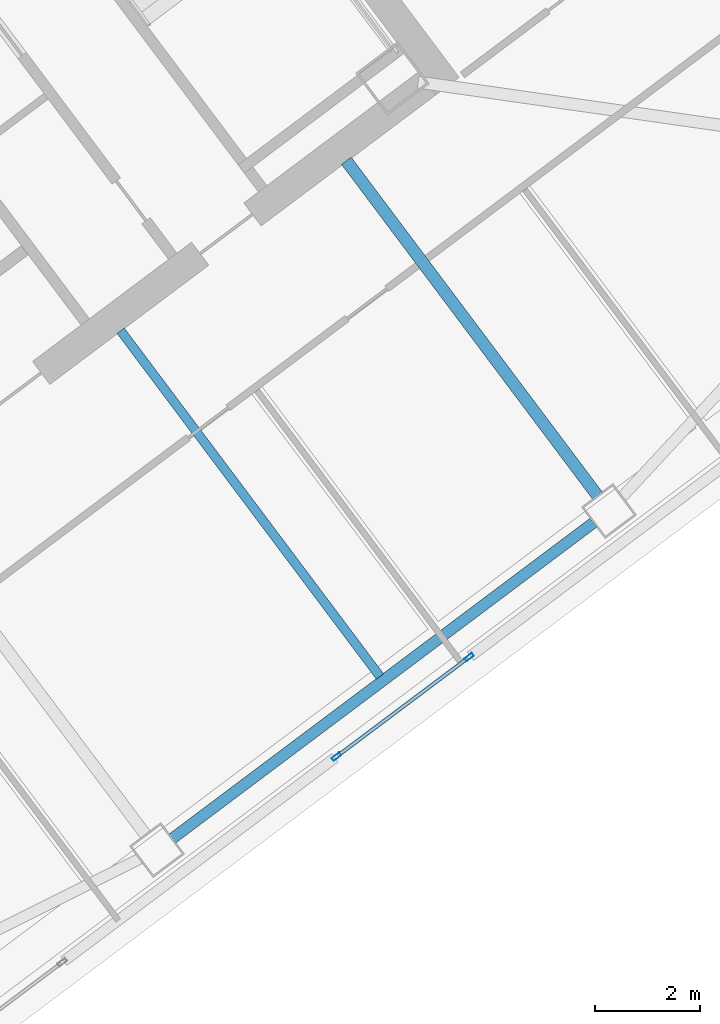
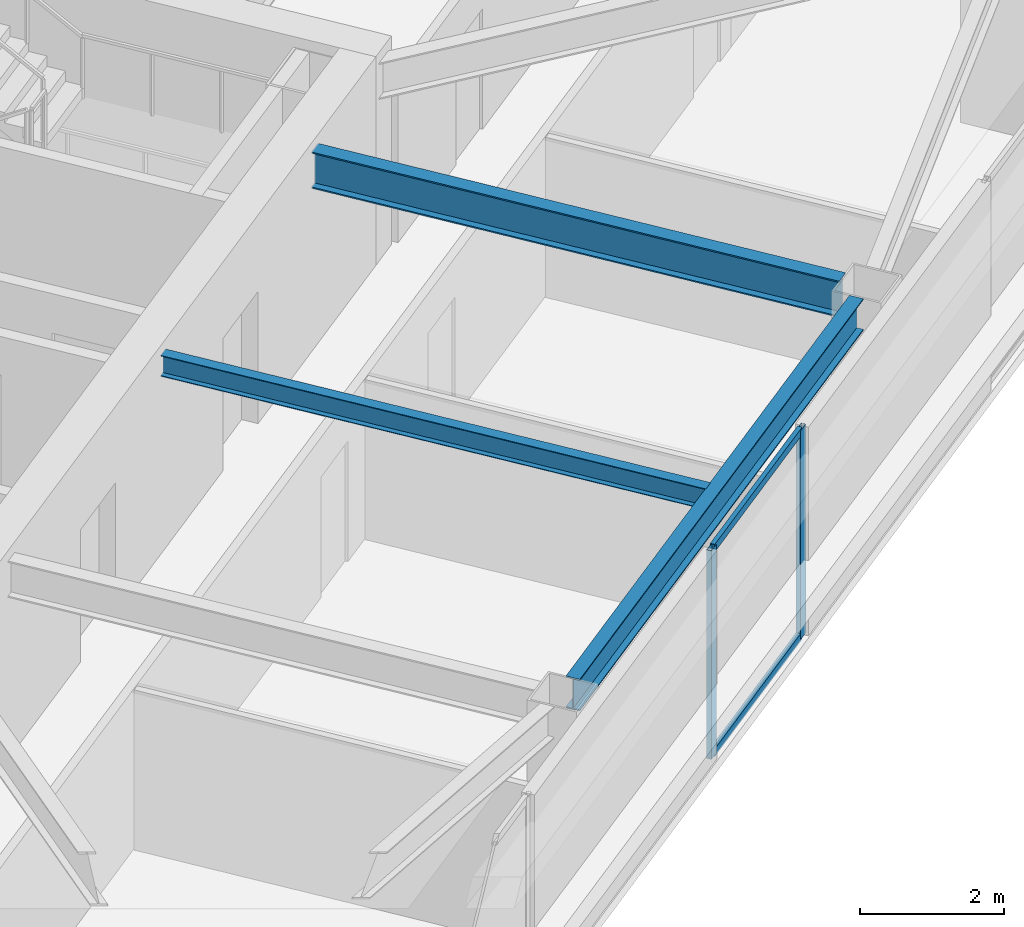
# One storey, part 24 of 43: 4 members, 3 beams, 1 element without a shape of its own.
"""IFC4 building model written with IfcOpenShell, lengths in metres."""

from ifc_helpers import new_model, si_unit, direction, frame, origin, origin_2d, place, context, subcontext, project, spatial, hollow_rectangle, i_section, extrude, material, material_profile, profile_set, type_object, element, aggregate, save


model = new_model("IFC4")

# Units and contexts
model_context = context("Model", 3, precision=1e-05, world=origin(), true_north=direction((0.0, 1.0)))
body_context = subcontext(model_context, "Body", "Model", "MODEL_VIEW")
ifc_project = project(units=[si_unit("LENGTHUNIT", "METRE"), si_unit("AREAUNIT", "SQUARE_METRE"), si_unit("VOLUMEUNIT", "CUBIC_METRE"), si_unit("PLANEANGLEUNIT", "RADIAN"), si_unit("MASSUNIT", "GRAM", prefix="KILO")], contexts=[model_context])

# Site, building, storey
site_placement = place(None, origin())
site = spatial("IfcSite", under=ifc_project, at=site_placement, CompositionType="ELEMENT")
building_placement = place(site_placement, origin())
building = spatial("IfcBuilding", under=site, at=building_placement, Name="Tashvorn Skyway Center", CompositionType="ELEMENT")
storey_placement = place(building_placement, frame((0.0, 0.0, 185.39990234375)))
storey = spatial("IfcBuildingStorey", under=building, at=storey_placement, Name="L50", CompositionType="ELEMENT", Elevation=185.39990234375)

# Beams
ifc_material_1 = material(Name="Steel ASTM A992 Grade 50", Category="steel")
ifc_material_profile_1 = material_profile(ifc_material_1, i_section(OverallWidth=0.22998046875, OverallDepth=0.616943359375, WebThickness=0.01318359375, FlangeThickness=0.022216796875, at=origin_2d()), Name="W24X94")
ifc_profile_set_1 = profile_set([ifc_material_profile_1], Name="Steel ASTM A992 Grade 50")
beam_type_1 = type_object("IfcBeamType", Name="BM-BEAM-W24X94", PredefinedType="BEAM", material=ifc_profile_set_1)
beam_1_placement = place(storey_placement, frame((127.7880859375, 22.615966796875, 3.0615234375), z_axis=(-0.599995117266, 0.800003662027, 0.0), x_axis=(-0.800003662027, -0.599995117266, 0.0)))
element("IfcBeam", 1, at=beam_1_placement, inside=storey, type_object=beam_type_1, Name="Tower 2 L50 Primary Floor Girder FC-S2", PredefinedType="BEAM", context=body_context, shape_type="SweptSolid", body=[
    extrude(i_section(OverallWidth=0.22998046875, OverallDepth=0.616943359375, WebThickness=0.01318359375, FlangeThickness=0.022216796875, at=origin_2d()), origin(), (0.0, 0.0, 1.0), 8.000244140625),
])
ifc_material_profile_2 = material_profile(ifc_material_1, i_section(OverallWidth=0.1708984375, OverallDepth=0.35498046875, WebThickness=0.007080078125, FlangeThickness=0.01171875, at=origin_2d()), Name="W14X34")
ifc_profile_set_2 = profile_set([ifc_material_profile_2], Name="Steel ASTM A992 Grade 50")
beam_type_2 = type_object("IfcBeamType", Name="BM-JOIST-W14X34", PredefinedType="JOIST", material=ifc_profile_set_2)
beam_2_placement = place(storey_placement, frame((118.674072265625, 25.76806640625, 3.192626953125), z_axis=(0.59999527236, -0.800003545708, 0.0), x_axis=(0.800003545708, 0.59999527236, 0.0)))
element("IfcBeam", 2, at=beam_2_placement, inside=storey, type_object=beam_type_2, Name="Tower 2 L50 Secondary Composite Joist JS", PredefinedType="JOIST", context=body_context, shape_type="SweptSolid", body=[
    extrude(i_section(OverallWidth=0.1708984375, OverallDepth=0.35498046875, WebThickness=0.007080078125, FlangeThickness=0.01171875, at=origin_2d()), origin(), (0.0, 0.0, 1.0), 8.2626953125),
])
ifc_material_profile_3 = material_profile(ifc_material_1, i_section(OverallWidth=0.2109375, OverallDepth=0.5390625, WebThickness=0.01171875, FlangeThickness=0.018798828125, at=origin_2d()), Name="W21X73")
ifc_profile_set_3 = profile_set([ifc_material_profile_3], Name="Steel ASTM A992 Grade 50")
beam_type_3 = type_object("IfcBeamType", Name="BM-SPANDREL-W21X73", PredefinedType="SPANDREL", material=ifc_profile_set_3)
beam_3_placement = place(storey_placement, frame((119.666015625, 16.06201171875, 3.1005859375), z_axis=(0.800008736549, 0.599988351091, 0.0), x_axis=(-0.599988351091, 0.800008736549, 0.0)))
element("IfcBeam", 3, at=beam_3_placement, inside=storey, type_object=beam_type_3, Name="Tower 2 L50 Spandrel Beam 02", PredefinedType="SPANDREL", context=body_context, shape_type="SweptSolid", body=[
    extrude(i_section(OverallWidth=0.2109375, OverallDepth=0.5390625, WebThickness=0.01171875, FlangeThickness=0.018798828125, at=origin_2d()), origin(), (0.0, 0.0, 1.0), 10.06005859375),
])

# Curtain wall, members
ifc_material_2 = material(Name="Thermally broken bronze-anodized aluminium 6063-T6", Category="aluminium")
curtain_wall_type = type_object("IfcCurtainWallType", Name="CW-CW-Z4", PredefinedType="NOTDEFINED", material=ifc_material_2)
curtain_wall_placement = place(storey_placement, origin())
curtain_wall = element("IfcCurtainWall", 4, at=curtain_wall_placement, inside=storey, type_object=curtain_wall_type, Name="Tower 2 L50 South Unitised Curtain Wall Glazing Group 2", PredefinedType="NOTDEFINED")
ifc_material_profile_4 = material_profile(ifc_material_2, hollow_rectangle(XDim=0.070068359375, YDim=0.179931640625, WallThickness=0.00390625, at=origin_2d()), Name="ALU-MULL-70x180")
ifc_profile_set_4 = profile_set([ifc_material_profile_4], Name="Thermally broken bronze-anodized aluminium 6063-T6")
member_type_1 = type_object("IfcMemberType", Name="CWM-CW-Z4", PredefinedType="MULLION", material=ifc_profile_set_4)
member_1_placement = place(storey_placement, frame((125.3359375, 19.527099609375, 0.0), z_axis=(0.0, 0.0, 1.0), x_axis=(0.600000000002, -0.799999999998, 0.0)))
member_1 = element("IfcMember", 5, at=member_1_placement, type_object=member_type_1, Name="CW-Z4 mullion 1", PredefinedType="MULLION", context=body_context, shape_type="SweptSolid", body=[
    extrude(hollow_rectangle(XDim=0.070068359375, YDim=0.179931640625, WallThickness=0.00390625, at=origin_2d()), origin(), (0.0, 0.0, 1.0), 3.550048828125),
])
member_2_placement = place(storey_placement, frame((122.800048828125, 17.625, 0.0), z_axis=(0.0, 0.0, 1.0), x_axis=(0.600000000002, -0.799999999998, 0.0)))
member_2 = element("IfcMember", 6, at=member_2_placement, type_object=member_type_1, Name="CW-Z4 mullion 2", PredefinedType="MULLION", context=body_context, shape_type="SweptSolid", body=[
    extrude(hollow_rectangle(XDim=0.070068359375, YDim=0.179931640625, WallThickness=0.00390625, at=origin_2d()), origin(), (0.0, 0.0, 1.0), 3.550048828125),
])
ifc_material_profile_5 = material_profile(ifc_material_2, hollow_rectangle(XDim=0.070068359375, YDim=0.1298828125, WallThickness=0.00390625, at=origin_2d()), Name="ALU-TRAN-70x130")
ifc_profile_set_5 = profile_set([ifc_material_profile_5], Name="Thermally broken bronze-anodized aluminium 6063-T6")
member_type_2 = type_object("IfcMemberType", Name="CWT-CW-Z4", PredefinedType="USERDEFINED", material=ifc_profile_set_5)
member_3_placement = place(storey_placement, frame((125.30810546875, 19.506103515625, 0.03515625), z_axis=(-0.800009449761, -0.599987400111, 0.0), x_axis=(0.599987400111, -0.800009449761, 0.0)))
member_3 = element("IfcMember", 7, at=member_3_placement, type_object=member_type_2, Name="CW-Z4 transom 1.1", ObjectType="TRANSOM", PredefinedType="USERDEFINED", context=body_context, shape_type="SweptSolid", body=[
    extrude(hollow_rectangle(XDim=0.070068359375, YDim=0.1298828125, WallThickness=0.00390625, at=origin_2d()), origin(), (0.0, 0.0, 1.0), 3.100341796875),
])
member_4_placement = place(storey_placement, frame((125.30810546875, 19.506103515625, 3.51513671875), z_axis=(-0.800009449761, -0.599987400111, 0.0), x_axis=(0.599987400111, -0.800009449761, 0.0)))
member_4 = element("IfcMember", 8, at=member_4_placement, type_object=member_type_2, Name="CW-Z4 transom 1.2", ObjectType="TRANSOM", PredefinedType="USERDEFINED", context=body_context, shape_type="SweptSolid", body=[
    extrude(hollow_rectangle(XDim=0.070068359375, YDim=0.1298828125, WallThickness=0.00390625, at=origin_2d()), origin(), (0.0, 0.0, 1.0), 3.100341796875),
])
aggregate(curtain_wall, [member_1, member_2, member_3, member_4])

save(model, "model.ifc")
